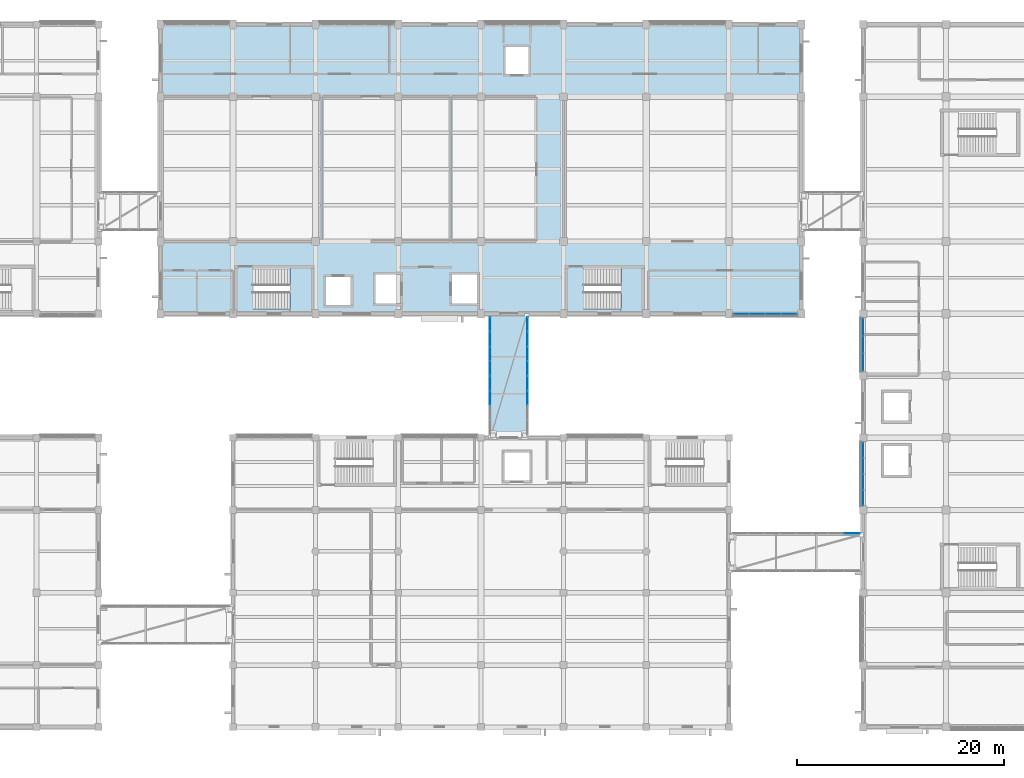
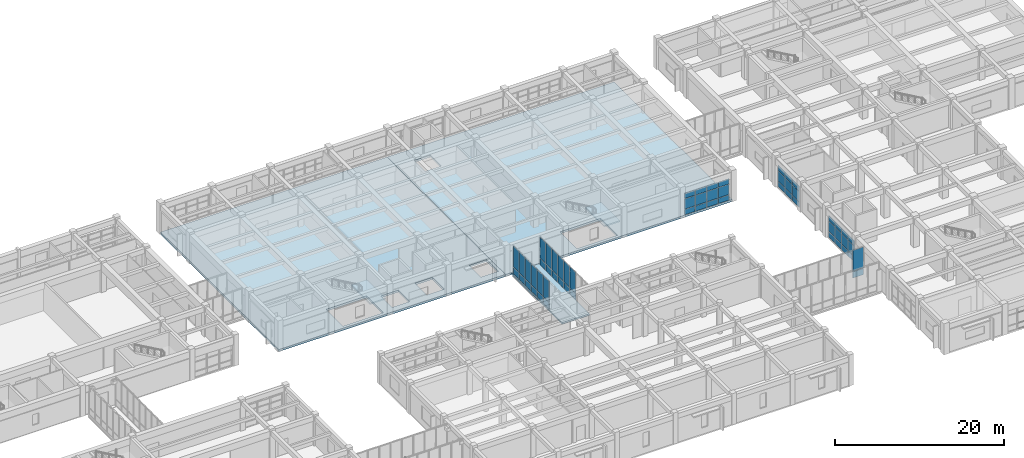
# One storey, part 40 of 70: 59 plates, 5 slabs, 8 elements without a shape of their own.
"""IFC4 building model written with IfcOpenShell, lengths in metres."""

import ifcopenshell
import ifcopenshell.guid

model = None  # the IFC model being written
_history = None  # IfcOwnerHistory: only IFC2X3 demands one
_inside = {}  # id of a spatial element -> (the spatial element, [elements in it])
_under = {}  # id of a project, library or spatial element -> (it, [spatial elements below it])
_declared = {}  # id of a project -> (the project, [libraries it declares])
_typed = {}  # id of a type object -> (the type object, [elements of that type])
_made_of = {}  # id of a material, layer set ... -> (it, [elements and type objects made of it])


def new_model(schema):
    """Start an empty IFC model of exactly this schema.

    Asked for "IFC4X3", IfcOpenShell would pick the latest addendum, in which some entities
    have other attributes; the version numbers below select the first issue.
    IFC2X3 requires an IfcOwnerHistory on every rooted entity: one is made here for all.
    """
    global model, _history
    if schema == "IFC4X3":
        model = ifcopenshell.file(schema_version=(4, 3, 0, 0))
    else:
        model = ifcopenshell.file(schema=schema)
    _inside.clear()
    _under.clear()
    _declared.clear()
    _typed.clear()
    _made_of.clear()
    _history = None
    if model.schema == "IFC2X3":
        org = make("IfcOrganization", Name="unknown")
        user = make(
            "IfcPersonAndOrganization",
            ThePerson=make("IfcPerson", FamilyName="unknown"),
            TheOrganization=org,
        )
        app = make(
            "IfcApplication",
            ApplicationDeveloper=org,
            Version="unknown",
            ApplicationFullName="unknown",
            ApplicationIdentifier="unknown",
        )
        _history = make(
            "IfcOwnerHistory",
            OwningUser=user,
            OwningApplication=app,
            ChangeAction="ADDED",
            CreationDate=0,
        )
    return model


def make(cls, **values):
    """One entity of the class cls with the attributes given. An attribute that is None is left unset."""
    return model.create_entity(
        cls, **{name: value for name, value in values.items() if value is not None}
    )


def rooted(cls, **values):
    """An entity with a GlobalId (a new one), such as an element, a storey or a relation."""
    return make(cls, GlobalId=ifcopenshell.guid.new(), OwnerHistory=_history, **values)


def si_unit(unit_type, name, prefix=None):
    """IfcSIUnit, for example si_unit("LENGTHUNIT", "METRE", prefix="MILLI")."""
    return make("IfcSIUnit", UnitType=unit_type, Prefix=prefix, Name=name)


def assignment(units):
    """IfcUnitAssignment: the units of a project."""
    return None if units is None else make("IfcUnitAssignment", Units=units)


def point(xyz):
    """IfcCartesianPoint."""
    return None if xyz is None else make("IfcCartesianPoint", Coordinates=xyz)


def direction(xyz):
    """IfcDirection."""
    return None if xyz is None else make("IfcDirection", DirectionRatios=xyz)


def frame(location, z_axis=None, x_axis=None):
    """IfcAxis2Placement3D, a coordinate frame: its origin and axes. An axis left out is left unset."""
    return make(
        "IfcAxis2Placement3D",
        Location=point(location),
        Axis=direction(z_axis),
        RefDirection=direction(x_axis),
    )


def frame_2d(location, x_axis=None):
    """IfcAxis2Placement2D, a coordinate frame in the plane: its origin and x axis."""
    return make(
        "IfcAxis2Placement2D", Location=point(location), RefDirection=direction(x_axis)
    )


def origin():
    """The frame at (0, 0, 0) with its axes left unset."""
    return frame((0.0, 0.0, 0.0))


def origin_2d():
    """The frame at (0, 0) in the plane with its x axis left unset."""
    return frame_2d((0.0, 0.0))


def place(relative_to, where):
    """IfcLocalPlacement: puts the frame where relative to a parent placement (None: the world)."""
    return make(
        "IfcLocalPlacement", PlacementRelTo=relative_to, RelativePlacement=where
    )


def context(
    kind, dimensions, precision=None, world=None, true_north=None, identifier=None
):
    """IfcGeometricRepresentationContext, for example the 3D "Model" context."""
    return make(
        "IfcGeometricRepresentationContext",
        ContextIdentifier=identifier,
        ContextType=kind,
        CoordinateSpaceDimension=dimensions,
        Precision=precision,
        WorldCoordinateSystem=world,
        TrueNorth=true_north,
    )


def subcontext(parent, identifier, kind, view, scale=None):
    """IfcGeometricRepresentationSubContext, for example "Body" below "Model"."""
    return make(
        "IfcGeometricRepresentationSubContext",
        ContextIdentifier=identifier,
        ContextType=kind,
        ParentContext=parent,
        TargetScale=scale,
        TargetView=view,
    )


def project(units=None, contexts=None):
    """IfcProject with its units and contexts."""
    return rooted(
        "IfcProject",
        Name="project",
        RepresentationContexts=contexts,
        UnitsInContext=assignment(units),
    )


def spatial(cls, under=None, at=None, **own):
    """A site, building, storey or space (cls), placed at a placement, below another one or the project."""
    s = rooted(cls, ObjectPlacement=at, **own)
    if under is not None:
        _under.setdefault(under.id(), (under, []))[1].append(s)
    return s


def polyline(points):
    """IfcPolyline through the points."""
    return make("IfcPolyline", Points=[point(p) for p in points])


def profile(cls, at=None, kind="AREA", **sizes):
    """A parametric profile (cls). Its sizes go by their IFC names, for example OverallWidth=200.0."""
    return make(cls, ProfileType=kind, Position=at, **sizes)


def rectangle(**sizes):
    """IfcRectangleProfileDef."""
    return profile("IfcRectangleProfileDef", **sizes)


def outline(outer, holes=None, kind="AREA"):
    """IfcArbitraryClosedProfileDef: a profile drawn as a closed curve; with holes, ...WithVoids."""
    if holes is None:
        return make("IfcArbitraryClosedProfileDef", ProfileType=kind, OuterCurve=outer)
    return make(
        "IfcArbitraryProfileDefWithVoids",
        ProfileType=kind,
        OuterCurve=outer,
        InnerCurves=holes,
    )


def extrude(swept, where, along, depth):
    """IfcExtrudedAreaSolid: the profile swept, set in the frame where, extruded along a direction by depth."""
    return make(
        "IfcExtrudedAreaSolid",
        SweptArea=swept,
        Position=where,
        ExtrudedDirection=direction(along),
        Depth=depth,
    )


def shape(context_of_items, identifier, shape_type, items):
    """IfcShapeRepresentation: the items that make up one representation, for example the "Body"."""
    return make(
        "IfcShapeRepresentation",
        ContextOfItems=context_of_items,
        RepresentationIdentifier=identifier,
        RepresentationType=shape_type,
        Items=items,
    )


def material(Name=None, Category=None):
    """IfcMaterial."""
    return make("IfcMaterial", Name=Name, Category=Category)


def layer(
    of_material, thickness, ventilated=None, Name=None, Category=None, Priority=None
):
    """IfcMaterialLayer: one layer of a wall or slab, of a material (None: an air gap)."""
    return make(
        "IfcMaterialLayer",
        Material=of_material,
        LayerThickness=thickness,
        IsVentilated=ventilated,
        Name=Name,
        Category=Category,
        Priority=Priority,
    )


def layer_set(layers, Name=None):
    """IfcMaterialLayerSet."""
    return make("IfcMaterialLayerSet", MaterialLayers=layers, LayerSetName=Name)


def made_of(thing, what):
    """Note that an element or type object is made of a material, layer set ...; save() writes the relation."""
    if what is not None:
        _made_of.setdefault(what.id(), (what, []))[1].append(thing)
    return thing


def type_object(cls, material=None, **own):
    """A type object (cls), such as IfcWallType, which elements share."""
    return made_of(rooted(cls, **own), material)


def element(
    cls,
    number,
    at=None,
    inside=None,
    cuts=None,
    type_object=None,
    material=None,
    context=None,
    identifier="Body",
    shape_type=None,
    held_by="IfcProductDefinitionShape",
    body=None,
    shapes=None,
    **own,
):
    """One element of the class cls, such as IfcWall. Its Tag is "e" and its number.

    at: its placement. inside: the storey or other place that contains it. cuts: it is an
    opening in that element (IfcRelVoidsElement). A single representation is given by context,
    identifier, shape_type and body (its items); several are given by shapes. held_by: the class
    of the entity that holds the representations. save() writes the other relations.
    """
    e = rooted(cls, Tag="e%d" % number, ObjectPlacement=at, **own)
    if body is not None:
        shapes = [shape(context, identifier, shape_type, body)]
    if shapes is not None:
        e.Representation = make(held_by, Representations=shapes)
    if inside is not None:
        _inside.setdefault(inside.id(), (inside, []))[1].append(e)
    if cuts is not None:
        rooted(
            "IfcRelVoidsElement", RelatingBuildingElement=cuts, RelatedOpeningElement=e
        )
    if type_object is not None:
        _typed.setdefault(type_object.id(), (type_object, []))[1].append(e)
    return made_of(e, material)


def aggregate(whole, parts):
    """IfcRelAggregates: a whole, such as a stair, and the parts it consists of."""
    return rooted("IfcRelAggregates", RelatingObject=whole, RelatedObjects=parts)


def save(model, path):
    """Write the relations noted so far, then the file.

    IfcRelAggregates (storeys below a building ...), IfcRelContainedInSpatialStructure (elements
    in a storey), IfcRelDefinesByType, IfcRelAssociatesMaterial and IfcRelDeclares: one each for
    every whole, place, type object, material and project.
    """
    for whole, parts in _under.values():
        aggregate(whole, parts)
    for where, things in _inside.values():
        rooted(
            "IfcRelContainedInSpatialStructure",
            RelatedElements=things,
            RelatingStructure=where,
        )
    for kind, things in _typed.values():
        rooted("IfcRelDefinesByType", RelatedObjects=things, RelatingType=kind)
    for what, things in _made_of.values():
        rooted("IfcRelAssociatesMaterial", RelatedObjects=things, RelatingMaterial=what)
    for by, libraries in _declared.values():
        rooted("IfcRelDeclares", RelatingContext=by, RelatedDefinitions=libraries)
    model.write(path)


model = new_model("IFC4")

# Units and contexts
model_context = context("Model", 3, precision=1e-05, world=origin(), true_north=direction((0.0, 1.0)))
body_context = subcontext(model_context, "Body", "Model", "MODEL_VIEW")
ifc_project = project(units=[si_unit("LENGTHUNIT", "METRE"), si_unit("AREAUNIT", "SQUARE_METRE"), si_unit("VOLUMEUNIT", "CUBIC_METRE"), si_unit("PLANEANGLEUNIT", "RADIAN"), si_unit("MASSUNIT", "GRAM", prefix="KILO")], contexts=[model_context])

# Site, building, storey
site_placement = place(None, origin())
site = spatial("IfcSite", under=ifc_project, at=site_placement, CompositionType="ELEMENT")
building_placement = place(site_placement, origin())
building = spatial("IfcBuilding", under=site, at=building_placement, Name="Naurynzar Civic Courthouse", CompositionType="ELEMENT")
storey_placement = place(building_placement, frame((0.0, 0.0, 5.39990234375)))
storey = spatial("IfcBuildingStorey", under=building, at=storey_placement, Name="L02", CompositionType="ELEMENT", Elevation=5.39990234375)

# Curtain wall, plates
ifc_material_1 = material(Name="Aluminium 6063-T6", Category="aluminium")
ifc_layer_1 = layer(ifc_material_1, 0.179931640625)
ifc_layer_set_1 = layer_set([ifc_layer_1], Name="CW-UNIT-1500")
curtain_wall_type_1 = type_object("IfcCurtainWallType", Name="CW-UNIT-1500", PredefinedType="NOTDEFINED", material=ifc_layer_set_1)
curtain_wall_1_placement = place(storey_placement, origin())
curtain_wall_1 = element("IfcCurtainWall", 1, at=curtain_wall_1_placement, inside=storey, type_object=curtain_wall_type_1, Name="V2 unitised curtain wall 23 L02", PredefinedType="NOTDEFINED")
ifc_material_2 = material(Name="Tempered Laminated Low-E Glass", Category="glass")
ifc_layer_2 = layer(ifc_material_2, 0.031982421875)
ifc_layer_set_2 = layer_set([ifc_layer_2], Name="CWP-IGU-32")
plate_type = type_object("IfcPlateType", Name="CWP-IGU-32", PredefinedType="CURTAIN_PANEL", material=ifc_layer_set_2)
plate_1_placement = place(storey_placement, frame((122.81005859375, 44.0, 0.06005859375), z_axis=(0.0, 0.0, 1.0), x_axis=(-1.0, 0.0, 0.0)))
plate_1 = element("IfcPlate", 2, at=plate_1_placement, type_object=plate_type, Name="CW-01 panel 1.1", PredefinedType="CURTAIN_PANEL", context=body_context, shape_type="SweptSolid", body=[
    extrude(rectangle(XDim=1.4599609375, YDim=0.031982421875, at=origin_2d()), origin(), (0.0, 0.0, 1.0), 0.760009765625),
])
plate_2_placement = place(storey_placement, frame((122.81005859375, 44.0, 0.8798828125), z_axis=(0.0, 0.0, 1.0), x_axis=(-1.0, 0.0, 0.0)))
plate_2 = element("IfcPlate", 3, at=plate_2_placement, type_object=plate_type, Name="CW-01 panel 1.2", PredefinedType="CURTAIN_PANEL", context=body_context, shape_type="SweptSolid", body=[
    extrude(rectangle(XDim=1.4599609375, YDim=0.031982421875, at=origin_2d()), origin(), (0.0, 0.0, 1.0), 1.469970703125),
])
plate_3_placement = place(storey_placement, frame((122.81005859375, 44.0, 2.41015625), z_axis=(0.0, 0.0, 1.0), x_axis=(-1.0, 0.0, 0.0)))
plate_3 = element("IfcPlate", 4, at=plate_3_placement, type_object=plate_type, Name="CW-01 panel 1.3", PredefinedType="CURTAIN_PANEL", context=body_context, shape_type="SweptSolid", body=[
    extrude(rectangle(XDim=1.4599609375, YDim=0.031982421875, at=origin_2d()), origin(), (0.0, 0.0, 1.0), 0.760009765625),
])
plate_4_placement = place(storey_placement, frame((121.27490234375, 44.0, 0.06005859375), z_axis=(0.0, 0.0, 1.0), x_axis=(-1.0, 0.0, 0.0)))
plate_4 = element("IfcPlate", 5, at=plate_4_placement, type_object=plate_type, Name="CW-01 panel 2.1", PredefinedType="CURTAIN_PANEL", context=body_context, shape_type="SweptSolid", body=[
    extrude(rectangle(XDim=1.489990234375, YDim=0.031982421875, at=origin_2d()), origin(), (0.0, 0.0, 1.0), 0.760009765625),
])
plate_5_placement = place(storey_placement, frame((121.27490234375, 44.0, 0.8798828125), z_axis=(0.0, 0.0, 1.0), x_axis=(-1.0, 0.0, 0.0)))
plate_5 = element("IfcPlate", 6, at=plate_5_placement, type_object=plate_type, Name="CW-01 panel 2.2", PredefinedType="CURTAIN_PANEL", context=body_context, shape_type="SweptSolid", body=[
    extrude(rectangle(XDim=1.489990234375, YDim=0.031982421875, at=origin_2d()), origin(), (0.0, 0.0, 1.0), 1.469970703125),
])
plate_6_placement = place(storey_placement, frame((121.27490234375, 44.0, 2.41015625), z_axis=(0.0, 0.0, 1.0), x_axis=(-1.0, 0.0, 0.0)))
plate_6 = element("IfcPlate", 7, at=plate_6_placement, type_object=plate_type, Name="CW-01 panel 2.3", PredefinedType="CURTAIN_PANEL", context=body_context, shape_type="SweptSolid", body=[
    extrude(rectangle(XDim=1.489990234375, YDim=0.031982421875, at=origin_2d()), origin(), (0.0, 0.0, 1.0), 0.760009765625),
])
plate_7_placement = place(storey_placement, frame((119.72509765625, 44.0, 0.06005859375), z_axis=(0.0, 0.0, 1.0), x_axis=(-1.0, 0.0, 0.0)))
plate_7 = element("IfcPlate", 8, at=plate_7_placement, type_object=plate_type, Name="CW-01 panel 3.1", PredefinedType="CURTAIN_PANEL", context=body_context, shape_type="SweptSolid", body=[
    extrude(rectangle(XDim=1.489990234375, YDim=0.031982421875, at=origin_2d()), origin(), (0.0, 0.0, 1.0), 0.760009765625),
])
plate_8_placement = place(storey_placement, frame((119.72509765625, 44.0, 0.8798828125), z_axis=(0.0, 0.0, 1.0), x_axis=(-1.0, 0.0, 0.0)))
plate_8 = element("IfcPlate", 9, at=plate_8_placement, type_object=plate_type, Name="CW-01 panel 3.2", PredefinedType="CURTAIN_PANEL", context=body_context, shape_type="SweptSolid", body=[
    extrude(rectangle(XDim=1.489990234375, YDim=0.031982421875, at=origin_2d()), origin(), (0.0, 0.0, 1.0), 1.469970703125),
])
plate_9_placement = place(storey_placement, frame((119.72509765625, 44.0, 2.41015625), z_axis=(0.0, 0.0, 1.0), x_axis=(-1.0, 0.0, 0.0)))
plate_9 = element("IfcPlate", 10, at=plate_9_placement, type_object=plate_type, Name="CW-01 panel 3.3", PredefinedType="CURTAIN_PANEL", context=body_context, shape_type="SweptSolid", body=[
    extrude(rectangle(XDim=1.489990234375, YDim=0.031982421875, at=origin_2d()), origin(), (0.0, 0.0, 1.0), 0.760009765625),
])
plate_10_placement = place(storey_placement, frame((118.18994140625, 44.0, 0.06005859375), z_axis=(0.0, 0.0, 1.0), x_axis=(-1.0, 0.0, 0.0)))
plate_10 = element("IfcPlate", 11, at=plate_10_placement, type_object=plate_type, Name="CW-01 panel 4.1", PredefinedType="CURTAIN_PANEL", context=body_context, shape_type="SweptSolid", body=[
    extrude(rectangle(XDim=1.4599609375, YDim=0.031982421875, at=origin_2d()), origin(), (0.0, 0.0, 1.0), 0.760009765625),
])
plate_11_placement = place(storey_placement, frame((118.18994140625, 44.0, 0.8798828125), z_axis=(0.0, 0.0, 1.0), x_axis=(-1.0, 0.0, 0.0)))
plate_11 = element("IfcPlate", 12, at=plate_11_placement, type_object=plate_type, Name="CW-01 panel 4.2", PredefinedType="CURTAIN_PANEL", context=body_context, shape_type="SweptSolid", body=[
    extrude(rectangle(XDim=1.4599609375, YDim=0.031982421875, at=origin_2d()), origin(), (0.0, 0.0, 1.0), 1.469970703125),
])
plate_12_placement = place(storey_placement, frame((118.18994140625, 44.0, 2.41015625), z_axis=(0.0, 0.0, 1.0), x_axis=(-1.0, 0.0, 0.0)))
plate_12 = element("IfcPlate", 13, at=plate_12_placement, type_object=plate_type, Name="CW-01 panel 4.3", PredefinedType="CURTAIN_PANEL", context=body_context, shape_type="SweptSolid", body=[
    extrude(rectangle(XDim=1.4599609375, YDim=0.031982421875, at=origin_2d()), origin(), (0.0, 0.0, 1.0), 0.760009765625),
])
aggregate(curtain_wall_1, [plate_1, plate_2, plate_3, plate_4, plate_5, plate_6, plate_7, plate_8, plate_9, plate_10, plate_11, plate_12])

curtain_wall_2_placement = place(storey_placement, origin())
curtain_wall_2 = element("IfcCurtainWall", 14, at=curtain_wall_2_placement, inside=storey, type_object=curtain_wall_type_1, Name="V5 unitised curtain wall 86 L02", PredefinedType="NOTDEFINED")
plate_13_placement = place(storey_placement, frame((130.0, 26.208740234375, 0.06005859375), z_axis=(0.0, 0.0, 1.0), x_axis=(0.0, 1.0, 0.0)))
plate_13 = element("IfcPlate", 15, at=plate_13_placement, type_object=plate_type, Name="CW-01 panel 1.1", PredefinedType="CURTAIN_PANEL", context=body_context, shape_type="SweptSolid", body=[
    extrude(rectangle(XDim=1.447509765625, YDim=0.031982421875, at=origin_2d()), origin(), (0.0, 0.0, 1.0), 0.760009765625),
])
plate_14_placement = place(storey_placement, frame((130.0, 26.208740234375, 0.8798828125), z_axis=(0.0, 0.0, 1.0), x_axis=(0.0, 1.0, 0.0)))
plate_14 = element("IfcPlate", 16, at=plate_14_placement, type_object=plate_type, Name="CW-01 panel 1.2", PredefinedType="CURTAIN_PANEL", context=body_context, shape_type="SweptSolid", body=[
    extrude(rectangle(XDim=1.447509765625, YDim=0.031982421875, at=origin_2d()), origin(), (0.0, 0.0, 1.0), 1.469970703125),
])
plate_15_placement = place(storey_placement, frame((130.0, 26.208740234375, 2.41015625), z_axis=(0.0, 0.0, 1.0), x_axis=(0.0, 1.0, 0.0)))
plate_15 = element("IfcPlate", 17, at=plate_15_placement, type_object=plate_type, Name="CW-01 panel 1.3", PredefinedType="CURTAIN_PANEL", context=body_context, shape_type="SweptSolid", body=[
    extrude(rectangle(XDim=1.447509765625, YDim=0.031982421875, at=origin_2d()), origin(), (0.0, 0.0, 1.0), 0.760009765625),
])
plate_16_placement = place(storey_placement, frame((130.0, 27.731201171875, 0.06005859375), z_axis=(0.0, 0.0, 1.0), x_axis=(0.0, 1.0, 0.0)))
plate_16 = element("IfcPlate", 18, at=plate_16_placement, type_object=plate_type, Name="CW-01 panel 2.1", PredefinedType="CURTAIN_PANEL", context=body_context, shape_type="SweptSolid", body=[
    extrude(rectangle(XDim=1.4775390625, YDim=0.031982421875, at=origin_2d()), origin(), (0.0, 0.0, 1.0), 0.760009765625),
])
plate_17_placement = place(storey_placement, frame((130.0, 27.731201171875, 0.8798828125), z_axis=(0.0, 0.0, 1.0), x_axis=(0.0, 1.0, 0.0)))
plate_17 = element("IfcPlate", 19, at=plate_17_placement, type_object=plate_type, Name="CW-01 panel 2.2", PredefinedType="CURTAIN_PANEL", context=body_context, shape_type="SweptSolid", body=[
    extrude(rectangle(XDim=1.4775390625, YDim=0.031982421875, at=origin_2d()), origin(), (0.0, 0.0, 1.0), 1.469970703125),
])
plate_18_placement = place(storey_placement, frame((130.0, 27.731201171875, 2.41015625), z_axis=(0.0, 0.0, 1.0), x_axis=(0.0, 1.0, 0.0)))
plate_18 = element("IfcPlate", 20, at=plate_18_placement, type_object=plate_type, Name="CW-01 panel 2.3", PredefinedType="CURTAIN_PANEL", context=body_context, shape_type="SweptSolid", body=[
    extrude(rectangle(XDim=1.4775390625, YDim=0.031982421875, at=origin_2d()), origin(), (0.0, 0.0, 1.0), 0.760009765625),
])
plate_19_placement = place(storey_placement, frame((130.0, 29.268798828125, 0.06005859375), z_axis=(0.0, 0.0, 1.0), x_axis=(0.0, 1.0, 0.0)))
plate_19 = element("IfcPlate", 21, at=plate_19_placement, type_object=plate_type, Name="CW-01 panel 3.1", PredefinedType="CURTAIN_PANEL", context=body_context, shape_type="SweptSolid", body=[
    extrude(rectangle(XDim=1.4775390625, YDim=0.031982421875, at=origin_2d()), origin(), (0.0, 0.0, 1.0), 0.760009765625),
])
plate_20_placement = place(storey_placement, frame((130.0, 29.268798828125, 0.8798828125), z_axis=(0.0, 0.0, 1.0), x_axis=(0.0, 1.0, 0.0)))
plate_20 = element("IfcPlate", 22, at=plate_20_placement, type_object=plate_type, Name="CW-01 panel 3.2", PredefinedType="CURTAIN_PANEL", context=body_context, shape_type="SweptSolid", body=[
    extrude(rectangle(XDim=1.4775390625, YDim=0.031982421875, at=origin_2d()), origin(), (0.0, 0.0, 1.0), 1.469970703125),
])
plate_21_placement = place(storey_placement, frame((130.0, 29.268798828125, 2.41015625), z_axis=(0.0, 0.0, 1.0), x_axis=(0.0, 1.0, 0.0)))
plate_21 = element("IfcPlate", 23, at=plate_21_placement, type_object=plate_type, Name="CW-01 panel 3.3", PredefinedType="CURTAIN_PANEL", context=body_context, shape_type="SweptSolid", body=[
    extrude(rectangle(XDim=1.4775390625, YDim=0.031982421875, at=origin_2d()), origin(), (0.0, 0.0, 1.0), 0.760009765625),
])
plate_22_placement = place(storey_placement, frame((130.0, 30.791259765625, 0.06005859375), z_axis=(0.0, 0.0, 1.0), x_axis=(0.0, 1.0, 0.0)))
plate_22 = element("IfcPlate", 24, at=plate_22_placement, type_object=plate_type, Name="CW-01 panel 4.1", PredefinedType="CURTAIN_PANEL", context=body_context, shape_type="SweptSolid", body=[
    extrude(rectangle(XDim=1.447509765625, YDim=0.031982421875, at=origin_2d()), origin(), (0.0, 0.0, 1.0), 0.760009765625),
])
plate_23_placement = place(storey_placement, frame((130.0, 30.791259765625, 0.8798828125), z_axis=(0.0, 0.0, 1.0), x_axis=(0.0, 1.0, 0.0)))
plate_23 = element("IfcPlate", 25, at=plate_23_placement, type_object=plate_type, Name="CW-01 panel 4.2", PredefinedType="CURTAIN_PANEL", context=body_context, shape_type="SweptSolid", body=[
    extrude(rectangle(XDim=1.447509765625, YDim=0.031982421875, at=origin_2d()), origin(), (0.0, 0.0, 1.0), 1.469970703125),
])
plate_24_placement = place(storey_placement, frame((130.0, 30.791259765625, 2.41015625), z_axis=(0.0, 0.0, 1.0), x_axis=(0.0, 1.0, 0.0)))
plate_24 = element("IfcPlate", 26, at=plate_24_placement, type_object=plate_type, Name="CW-01 panel 4.3", PredefinedType="CURTAIN_PANEL", context=body_context, shape_type="SweptSolid", body=[
    extrude(rectangle(XDim=1.447509765625, YDim=0.031982421875, at=origin_2d()), origin(), (0.0, 0.0, 1.0), 0.760009765625),
])
aggregate(curtain_wall_2, [plate_13, plate_14, plate_15, plate_16, plate_17, plate_18, plate_19, plate_20, plate_21, plate_22, plate_23, plate_24])

curtain_wall_3_placement = place(storey_placement, origin())
curtain_wall_3 = element("IfcCurtainWall", 27, at=curtain_wall_3_placement, inside=storey, type_object=curtain_wall_type_1, Name="V5 unitised curtain wall 87 L02", PredefinedType="NOTDEFINED")
plate_25_placement = place(storey_placement, frame((130.0, 39.29833984375, 0.06005859375), z_axis=(0.0, 0.0, 1.0), x_axis=(0.0, 1.0, 0.0)))
plate_25 = element("IfcPlate", 28, at=plate_25_placement, type_object=plate_type, Name="CW-01 panel 1.1", PredefinedType="CURTAIN_PANEL", context=body_context, shape_type="SweptSolid", body=[
    extrude(rectangle(XDim=1.626708984375, YDim=0.031982421875, at=origin_2d()), origin(), (0.0, 0.0, 1.0), 0.760009765625),
])
plate_26_placement = place(storey_placement, frame((130.0, 39.29833984375, 0.8798828125), z_axis=(0.0, 0.0, 1.0), x_axis=(0.0, 1.0, 0.0)))
plate_26 = element("IfcPlate", 29, at=plate_26_placement, type_object=plate_type, Name="CW-01 panel 1.2", PredefinedType="CURTAIN_PANEL", context=body_context, shape_type="SweptSolid", body=[
    extrude(rectangle(XDim=1.626708984375, YDim=0.031982421875, at=origin_2d()), origin(), (0.0, 0.0, 1.0), 1.469970703125),
])
plate_27_placement = place(storey_placement, frame((130.0, 39.29833984375, 2.41015625), z_axis=(0.0, 0.0, 1.0), x_axis=(0.0, 1.0, 0.0)))
plate_27 = element("IfcPlate", 30, at=plate_27_placement, type_object=plate_type, Name="CW-01 panel 1.3", PredefinedType="CURTAIN_PANEL", context=body_context, shape_type="SweptSolid", body=[
    extrude(rectangle(XDim=1.626708984375, YDim=0.031982421875, at=origin_2d()), origin(), (0.0, 0.0, 1.0), 0.760009765625),
])
plate_28_placement = place(storey_placement, frame((130.0, 41.0, 0.06005859375), z_axis=(0.0, 0.0, 1.0), x_axis=(0.0, 1.0, 0.0)))
plate_28 = element("IfcPlate", 31, at=plate_28_placement, type_object=plate_type, Name="CW-01 panel 2.1", PredefinedType="CURTAIN_PANEL", context=body_context, shape_type="SweptSolid", body=[
    extrude(rectangle(XDim=1.65673828125, YDim=0.031982421875, at=origin_2d()), origin(), (0.0, 0.0, 1.0), 0.760009765625),
])
plate_29_placement = place(storey_placement, frame((130.0, 41.0, 0.8798828125), z_axis=(0.0, 0.0, 1.0), x_axis=(0.0, 1.0, 0.0)))
plate_29 = element("IfcPlate", 32, at=plate_29_placement, type_object=plate_type, Name="CW-01 panel 2.2", PredefinedType="CURTAIN_PANEL", context=body_context, shape_type="SweptSolid", body=[
    extrude(rectangle(XDim=1.65673828125, YDim=0.031982421875, at=origin_2d()), origin(), (0.0, 0.0, 1.0), 1.469970703125),
])
plate_30_placement = place(storey_placement, frame((130.0, 41.0, 2.41015625), z_axis=(0.0, 0.0, 1.0), x_axis=(0.0, 1.0, 0.0)))
plate_30 = element("IfcPlate", 33, at=plate_30_placement, type_object=plate_type, Name="CW-01 panel 2.3", PredefinedType="CURTAIN_PANEL", context=body_context, shape_type="SweptSolid", body=[
    extrude(rectangle(XDim=1.65673828125, YDim=0.031982421875, at=origin_2d()), origin(), (0.0, 0.0, 1.0), 0.760009765625),
])
plate_31_placement = place(storey_placement, frame((130.0, 42.70166015625, 0.06005859375), z_axis=(0.0, 0.0, 1.0), x_axis=(0.0, 1.0, 0.0)))
plate_31 = element("IfcPlate", 34, at=plate_31_placement, type_object=plate_type, Name="CW-01 panel 3.1", PredefinedType="CURTAIN_PANEL", context=body_context, shape_type="SweptSolid", body=[
    extrude(rectangle(XDim=1.626708984375, YDim=0.031982421875, at=origin_2d()), origin(), (0.0, 0.0, 1.0), 0.760009765625),
])
plate_32_placement = place(storey_placement, frame((130.0, 42.70166015625, 0.8798828125), z_axis=(0.0, 0.0, 1.0), x_axis=(0.0, 1.0, 0.0)))
plate_32 = element("IfcPlate", 35, at=plate_32_placement, type_object=plate_type, Name="CW-01 panel 3.2", PredefinedType="CURTAIN_PANEL", context=body_context, shape_type="SweptSolid", body=[
    extrude(rectangle(XDim=1.626708984375, YDim=0.031982421875, at=origin_2d()), origin(), (0.0, 0.0, 1.0), 1.469970703125),
])
plate_33_placement = place(storey_placement, frame((130.0, 42.70166015625, 2.41015625), z_axis=(0.0, 0.0, 1.0), x_axis=(0.0, 1.0, 0.0)))
plate_33 = element("IfcPlate", 36, at=plate_33_placement, type_object=plate_type, Name="CW-01 panel 3.3", PredefinedType="CURTAIN_PANEL", context=body_context, shape_type="SweptSolid", body=[
    extrude(rectangle(XDim=1.626708984375, YDim=0.031982421875, at=origin_2d()), origin(), (0.0, 0.0, 1.0), 0.760009765625),
])
aggregate(curtain_wall_3, [plate_25, plate_26, plate_27, plate_28, plate_29, plate_30, plate_31, plate_32, plate_33])

ifc_material_3 = material(Name="Aluminium 6063-T6", Category="aluminium")
ifc_layer_3 = layer(ifc_material_3, 0.14990234375)
ifc_layer_set_3 = layer_set([ifc_layer_3], Name="CW-BRIDGE-1500")
curtain_wall_type_2 = type_object("IfcCurtainWallType", Name="CW-BRIDGE-1500", PredefinedType="USERDEFINED", material=ifc_layer_set_3)
curtain_wall_4_placement = place(storey_placement, origin())
curtain_wall_4 = element("IfcCurtainWall", 37, at=curtain_wall_4_placement, inside=storey, type_object=curtain_wall_type_2, Name="BR-C1 glazed bridge screen L02.1", ObjectType="GLAZED BRIDGE SCREEN", PredefinedType="USERDEFINED")
plate_34_placement = place(storey_placement, frame((93.8798828125, 42.972412109375, 0.06005859375), z_axis=(0.0, 0.0, 1.0), x_axis=(0.0, -1.0, 0.0)))
plate_34 = element("IfcPlate", 38, at=plate_34_placement, type_object=plate_type, Name="CW-03 panel 1.1", PredefinedType="CURTAIN_PANEL", context=body_context, shape_type="SweptSolid", body=[
    extrude(rectangle(XDim=1.3349609375, YDim=0.031982421875, at=origin_2d()), origin(), (0.0, 0.0, 1.0), 0.909912109375),
])
plate_35_placement = place(storey_placement, frame((93.8798828125, 42.972412109375, 1.0302734375), z_axis=(0.0, 0.0, 1.0), x_axis=(0.0, -1.0, 0.0)))
plate_35 = element("IfcPlate", 39, at=plate_35_placement, type_object=plate_type, Name="CW-03 panel 1.2", PredefinedType="CURTAIN_PANEL", context=body_context, shape_type="SweptSolid", body=[
    extrude(rectangle(XDim=1.3349609375, YDim=0.031982421875, at=origin_2d()), origin(), (0.0, 0.0, 1.0), 3.030029296875),
])
plate_36_placement = place(storey_placement, frame((93.8798828125, 41.5625, 0.06005859375), z_axis=(0.0, 0.0, 1.0), x_axis=(0.0, -1.0, 0.0)))
plate_36 = element("IfcPlate", 40, at=plate_36_placement, type_object=plate_type, Name="CW-03 panel 2.1", PredefinedType="CURTAIN_PANEL", context=body_context, shape_type="SweptSolid", body=[
    extrude(rectangle(XDim=1.364990234375, YDim=0.031982421875, at=origin_2d()), origin(), (0.0, 0.0, 1.0), 0.909912109375),
])
plate_37_placement = place(storey_placement, frame((93.8798828125, 41.5625, 1.0302734375), z_axis=(0.0, 0.0, 1.0), x_axis=(0.0, -1.0, 0.0)))
plate_37 = element("IfcPlate", 41, at=plate_37_placement, type_object=plate_type, Name="CW-03 panel 2.2", PredefinedType="CURTAIN_PANEL", context=body_context, shape_type="SweptSolid", body=[
    extrude(rectangle(XDim=1.364990234375, YDim=0.031982421875, at=origin_2d()), origin(), (0.0, 0.0, 1.0), 3.030029296875),
])
plate_38_placement = place(storey_placement, frame((93.8798828125, 40.137451171875, 0.06005859375), z_axis=(0.0, 0.0, 1.0), x_axis=(0.0, -1.0, 0.0)))
plate_38 = element("IfcPlate", 42, at=plate_38_placement, type_object=plate_type, Name="CW-03 panel 3.1", PredefinedType="CURTAIN_PANEL", context=body_context, shape_type="SweptSolid", body=[
    extrude(rectangle(XDim=1.364990234375, YDim=0.031982421875, at=origin_2d()), origin(), (0.0, 0.0, 1.0), 0.909912109375),
])
plate_39_placement = place(storey_placement, frame((93.8798828125, 40.137451171875, 1.0302734375), z_axis=(0.0, 0.0, 1.0), x_axis=(0.0, -1.0, 0.0)))
plate_39 = element("IfcPlate", 43, at=plate_39_placement, type_object=plate_type, Name="CW-03 panel 3.2", PredefinedType="CURTAIN_PANEL", context=body_context, shape_type="SweptSolid", body=[
    extrude(rectangle(XDim=1.364990234375, YDim=0.031982421875, at=origin_2d()), origin(), (0.0, 0.0, 1.0), 3.030029296875),
])
plate_40_placement = place(storey_placement, frame((93.8798828125, 38.71240234375, 0.06005859375), z_axis=(0.0, 0.0, 1.0), x_axis=(0.0, -1.0, 0.0)))
plate_40 = element("IfcPlate", 44, at=plate_40_placement, type_object=plate_type, Name="CW-03 panel 4.1", PredefinedType="CURTAIN_PANEL", context=body_context, shape_type="SweptSolid", body=[
    extrude(rectangle(XDim=1.364990234375, YDim=0.031982421875, at=origin_2d()), origin(), (0.0, 0.0, 1.0), 0.909912109375),
])
plate_41_placement = place(storey_placement, frame((93.8798828125, 38.71240234375, 1.0302734375), z_axis=(0.0, 0.0, 1.0), x_axis=(0.0, -1.0, 0.0)))
plate_41 = element("IfcPlate", 45, at=plate_41_placement, type_object=plate_type, Name="CW-03 panel 4.2", PredefinedType="CURTAIN_PANEL", context=body_context, shape_type="SweptSolid", body=[
    extrude(rectangle(XDim=1.364990234375, YDim=0.031982421875, at=origin_2d()), origin(), (0.0, 0.0, 1.0), 3.030029296875),
])
plate_42_placement = place(storey_placement, frame((93.8798828125, 37.28759765625, 0.06005859375), z_axis=(0.0, 0.0, 1.0), x_axis=(0.0, -1.0, 0.0)))
plate_42 = element("IfcPlate", 46, at=plate_42_placement, type_object=plate_type, Name="CW-03 panel 5.1", PredefinedType="CURTAIN_PANEL", context=body_context, shape_type="SweptSolid", body=[
    extrude(rectangle(XDim=1.364990234375, YDim=0.031982421875, at=origin_2d()), origin(), (0.0, 0.0, 1.0), 0.909912109375),
])
plate_43_placement = place(storey_placement, frame((93.8798828125, 37.28759765625, 1.0302734375), z_axis=(0.0, 0.0, 1.0), x_axis=(0.0, -1.0, 0.0)))
plate_43 = element("IfcPlate", 47, at=plate_43_placement, type_object=plate_type, Name="CW-03 panel 5.2", PredefinedType="CURTAIN_PANEL", context=body_context, shape_type="SweptSolid", body=[
    extrude(rectangle(XDim=1.364990234375, YDim=0.031982421875, at=origin_2d()), origin(), (0.0, 0.0, 1.0), 3.030029296875),
])
plate_44_placement = place(storey_placement, frame((93.8798828125, 35.862548828125, 0.06005859375), z_axis=(0.0, 0.0, 1.0), x_axis=(0.0, -1.0, 0.0)))
plate_44 = element("IfcPlate", 48, at=plate_44_placement, type_object=plate_type, Name="CW-03 panel 6.1", PredefinedType="CURTAIN_PANEL", context=body_context, shape_type="SweptSolid", body=[
    extrude(rectangle(XDim=1.364990234375, YDim=0.031982421875, at=origin_2d()), origin(), (0.0, 0.0, 1.0), 0.909912109375),
])
plate_45_placement = place(storey_placement, frame((93.8798828125, 35.862548828125, 1.0302734375), z_axis=(0.0, 0.0, 1.0), x_axis=(0.0, -1.0, 0.0)))
plate_45 = element("IfcPlate", 49, at=plate_45_placement, type_object=plate_type, Name="CW-03 panel 6.2", PredefinedType="CURTAIN_PANEL", context=body_context, shape_type="SweptSolid", body=[
    extrude(rectangle(XDim=1.364990234375, YDim=0.031982421875, at=origin_2d()), origin(), (0.0, 0.0, 1.0), 3.030029296875),
])
aggregate(curtain_wall_4, [plate_34, plate_35, plate_36, plate_37, plate_38, plate_39, plate_40, plate_41, plate_42, plate_43, plate_44, plate_45])

curtain_wall_5_placement = place(storey_placement, origin())
curtain_wall_5 = element("IfcCurtainWall", 50, at=curtain_wall_5_placement, inside=storey, type_object=curtain_wall_type_2, Name="BR-C1 glazed bridge screen L02.2", ObjectType="GLAZED BRIDGE SCREEN", PredefinedType="USERDEFINED")
plate_46_placement = place(storey_placement, frame((97.52001953125, 35.862548828125, 0.06005859375), z_axis=(0.0, 0.0, 1.0), x_axis=(0.0, 1.0, 0.0)))
plate_46 = element("IfcPlate", 51, at=plate_46_placement, type_object=plate_type, Name="CW-03 panel 3.1", PredefinedType="CURTAIN_PANEL", context=body_context, shape_type="SweptSolid", body=[
    extrude(rectangle(XDim=1.364990234375, YDim=0.031982421875, at=origin_2d()), origin(), (0.0, 0.0, 1.0), 0.909912109375),
])
plate_47_placement = place(storey_placement, frame((97.52001953125, 35.862548828125, 1.0302734375), z_axis=(0.0, 0.0, 1.0), x_axis=(0.0, 1.0, 0.0)))
plate_47 = element("IfcPlate", 52, at=plate_47_placement, type_object=plate_type, Name="CW-03 panel 3.2", PredefinedType="CURTAIN_PANEL", context=body_context, shape_type="SweptSolid", body=[
    extrude(rectangle(XDim=1.364990234375, YDim=0.031982421875, at=origin_2d()), origin(), (0.0, 0.0, 1.0), 3.030029296875),
])
plate_48_placement = place(storey_placement, frame((97.52001953125, 37.28759765625, 0.06005859375), z_axis=(0.0, 0.0, 1.0), x_axis=(0.0, 1.0, 0.0)))
plate_48 = element("IfcPlate", 53, at=plate_48_placement, type_object=plate_type, Name="CW-03 panel 4.1", PredefinedType="CURTAIN_PANEL", context=body_context, shape_type="SweptSolid", body=[
    extrude(rectangle(XDim=1.364990234375, YDim=0.031982421875, at=origin_2d()), origin(), (0.0, 0.0, 1.0), 0.909912109375),
])
plate_49_placement = place(storey_placement, frame((97.52001953125, 37.28759765625, 1.0302734375), z_axis=(0.0, 0.0, 1.0), x_axis=(0.0, 1.0, 0.0)))
plate_49 = element("IfcPlate", 54, at=plate_49_placement, type_object=plate_type, Name="CW-03 panel 4.2", PredefinedType="CURTAIN_PANEL", context=body_context, shape_type="SweptSolid", body=[
    extrude(rectangle(XDim=1.364990234375, YDim=0.031982421875, at=origin_2d()), origin(), (0.0, 0.0, 1.0), 3.030029296875),
])
plate_50_placement = place(storey_placement, frame((97.52001953125, 38.71240234375, 0.06005859375), z_axis=(0.0, 0.0, 1.0), x_axis=(0.0, 1.0, 0.0)))
plate_50 = element("IfcPlate", 55, at=plate_50_placement, type_object=plate_type, Name="CW-03 panel 5.1", PredefinedType="CURTAIN_PANEL", context=body_context, shape_type="SweptSolid", body=[
    extrude(rectangle(XDim=1.364990234375, YDim=0.031982421875, at=origin_2d()), origin(), (0.0, 0.0, 1.0), 0.909912109375),
])
plate_51_placement = place(storey_placement, frame((97.52001953125, 38.71240234375, 1.0302734375), z_axis=(0.0, 0.0, 1.0), x_axis=(0.0, 1.0, 0.0)))
plate_51 = element("IfcPlate", 56, at=plate_51_placement, type_object=plate_type, Name="CW-03 panel 5.2", PredefinedType="CURTAIN_PANEL", context=body_context, shape_type="SweptSolid", body=[
    extrude(rectangle(XDim=1.364990234375, YDim=0.031982421875, at=origin_2d()), origin(), (0.0, 0.0, 1.0), 3.030029296875),
])
plate_52_placement = place(storey_placement, frame((97.52001953125, 40.137451171875, 0.06005859375), z_axis=(0.0, 0.0, 1.0), x_axis=(0.0, 1.0, 0.0)))
plate_52 = element("IfcPlate", 57, at=plate_52_placement, type_object=plate_type, Name="CW-03 panel 6.1", PredefinedType="CURTAIN_PANEL", context=body_context, shape_type="SweptSolid", body=[
    extrude(rectangle(XDim=1.364990234375, YDim=0.031982421875, at=origin_2d()), origin(), (0.0, 0.0, 1.0), 0.909912109375),
])
plate_53_placement = place(storey_placement, frame((97.52001953125, 40.137451171875, 1.0302734375), z_axis=(0.0, 0.0, 1.0), x_axis=(0.0, 1.0, 0.0)))
plate_53 = element("IfcPlate", 58, at=plate_53_placement, type_object=plate_type, Name="CW-03 panel 6.2", PredefinedType="CURTAIN_PANEL", context=body_context, shape_type="SweptSolid", body=[
    extrude(rectangle(XDim=1.364990234375, YDim=0.031982421875, at=origin_2d()), origin(), (0.0, 0.0, 1.0), 3.030029296875),
])
plate_54_placement = place(storey_placement, frame((97.52001953125, 41.5625, 0.06005859375), z_axis=(0.0, 0.0, 1.0), x_axis=(0.0, 1.0, 0.0)))
plate_54 = element("IfcPlate", 59, at=plate_54_placement, type_object=plate_type, Name="CW-03 panel 7.1", PredefinedType="CURTAIN_PANEL", context=body_context, shape_type="SweptSolid", body=[
    extrude(rectangle(XDim=1.364990234375, YDim=0.031982421875, at=origin_2d()), origin(), (0.0, 0.0, 1.0), 0.909912109375),
])
plate_55_placement = place(storey_placement, frame((97.52001953125, 41.5625, 1.0302734375), z_axis=(0.0, 0.0, 1.0), x_axis=(0.0, 1.0, 0.0)))
plate_55 = element("IfcPlate", 60, at=plate_55_placement, type_object=plate_type, Name="CW-03 panel 7.2", PredefinedType="CURTAIN_PANEL", context=body_context, shape_type="SweptSolid", body=[
    extrude(rectangle(XDim=1.364990234375, YDim=0.031982421875, at=origin_2d()), origin(), (0.0, 0.0, 1.0), 3.030029296875),
])
plate_56_placement = place(storey_placement, frame((97.52001953125, 42.972412109375, 0.06005859375), z_axis=(0.0, 0.0, 1.0), x_axis=(0.0, 1.0, 0.0)))
plate_56 = element("IfcPlate", 61, at=plate_56_placement, type_object=plate_type, Name="CW-03 panel 8.1", PredefinedType="CURTAIN_PANEL", context=body_context, shape_type="SweptSolid", body=[
    extrude(rectangle(XDim=1.3349609375, YDim=0.031982421875, at=origin_2d()), origin(), (0.0, 0.0, 1.0), 0.909912109375),
])
plate_57_placement = place(storey_placement, frame((97.52001953125, 42.972412109375, 1.0302734375), z_axis=(0.0, 0.0, 1.0), x_axis=(0.0, 1.0, 0.0)))
plate_57 = element("IfcPlate", 62, at=plate_57_placement, type_object=plate_type, Name="CW-03 panel 8.2", PredefinedType="CURTAIN_PANEL", context=body_context, shape_type="SweptSolid", body=[
    extrude(rectangle(XDim=1.3349609375, YDim=0.031982421875, at=origin_2d()), origin(), (0.0, 0.0, 1.0), 3.030029296875),
])
aggregate(curtain_wall_5, [plate_46, plate_47, plate_48, plate_49, plate_50, plate_51, plate_52, plate_53, plate_54, plate_55, plate_56, plate_57])

curtain_wall_6_placement = place(storey_placement, origin())
curtain_wall_6 = element("IfcCurtainWall", 63, at=curtain_wall_6_placement, inside=storey, type_object=curtain_wall_type_2, Name="BR-E2 glazed bridge screen L02.2", ObjectType="GLAZED BRIDGE SCREEN", PredefinedType="USERDEFINED")
plate_58_placement = place(storey_placement, frame((128.909912109375, 22.719970703125, 0.06005859375), z_axis=(0.0, 0.0, 1.0), x_axis=(-1.0, 0.0, 0.0)))
plate_58 = element("IfcPlate", 64, at=plate_58_placement, type_object=plate_type, Name="CW-03 panel 1.1", PredefinedType="CURTAIN_PANEL", context=body_context, shape_type="SweptSolid", body=[
    extrude(rectangle(XDim=1.4599609375, YDim=0.031982421875, at=origin_2d()), origin(), (0.0, 0.0, 1.0), 0.909912109375),
])
plate_59_placement = place(storey_placement, frame((128.909912109375, 22.719970703125, 1.0302734375), z_axis=(0.0, 0.0, 1.0), x_axis=(-1.0, 0.0, 0.0)))
plate_59 = element("IfcPlate", 65, at=plate_59_placement, type_object=plate_type, Name="CW-03 panel 1.2", PredefinedType="CURTAIN_PANEL", context=body_context, shape_type="SweptSolid", body=[
    extrude(rectangle(XDim=1.4599609375, YDim=0.031982421875, at=origin_2d()), origin(), (0.0, 0.0, 1.0), 3.030029296875),
])
aggregate(curtain_wall_6, [plate_58, plate_59])

# Slab
ifc_material_4 = material(Name="Concrete C35/45", Category="concrete")
ifc_layer_4 = layer(ifc_material_4, 0.239990234375)
ifc_layer_set_4 = layer_set([ifc_layer_4], Name="SLB-BRG-240")
slab_type_1 = type_object("IfcSlabType", Name="SLB-BRG-240", PredefinedType="FLOOR", material=ifc_layer_set_4)
slab_1_placement = place(storey_placement, frame((0.0, 0.0, -0.239990234375)))
element("IfcSlab", 66, at=slab_1_placement, inside=storey, type_object=slab_type_1, Name="Central Library Seismic Link Passage deck slab L02", PredefinedType="FLOOR", context=body_context, shape_type="SweptSolid", body=[
    extrude(outline(polyline([(93.820068359375, 32.02001953125), (97.580078125, 32.02001953125), (97.580078125, 43.97998046875), (93.820068359375, 43.97998046875), (93.820068359375, 32.02001953125)])), origin(), (0.0, 0.0, 1.0), 0.239990234375),
])

# Stair, slab
ifc_material_5 = material(Name="Concrete C35/45", Category="concrete")
stair_type = type_object("IfcStairType", Name="STAIR-CORE-1600", PredefinedType="TWO_STRAIGHT_RUN_STAIR", material=ifc_material_5)
stair_1_placement = place(storey_placement, origin())
stair_1 = element("IfcStair", 67, at=stair_1_placement, inside=storey, type_object=stair_type, Name="Enclosed escape stair ST-V2A L02", PredefinedType="TWO_STRAIGHT_RUN_STAIR")
ifc_material_6 = material(Name="Concrete C35/45", Category="concrete")
ifc_layer_5 = layer(ifc_material_6, 0.199951171875)
ifc_layer_set_5 = layer_set([ifc_layer_5], Name="SLB-LAND-200")
slab_type_2 = type_object("IfcSlabType", Name="SLB-LAND-200", PredefinedType="LANDING", material=ifc_layer_set_5)
slab_2_placement = place(storey_placement, frame((0.0, 0.0, 2.050048828125)))
slab_2 = element("IfcSlab", 68, at=slab_2_placement, type_object=slab_type_2, Name="ST-V2A-L02 landing 1", PredefinedType="LANDING", context=body_context, shape_type="SweptSolid", body=[
    extrude(outline(polyline([(74.5400390625, 44.080078125), (76.669921875, 44.080078125), (76.669921875, 48.52001953125), (74.5400390625, 48.52001953125), (74.5400390625, 44.080078125)])), origin(), (0.0, 0.0, 1.0), 0.199951171875),
])
aggregate(stair_1, [slab_2])

stair_2_placement = place(storey_placement, origin())
stair_2 = element("IfcStair", 69, at=stair_2_placement, inside=storey, type_object=stair_type, Name="Enclosed escape stair ST-V2B L02", PredefinedType="TWO_STRAIGHT_RUN_STAIR")
slab_3_placement = place(storey_placement, frame((0.0, 0.0, 2.050048828125)))
slab_3 = element("IfcSlab", 70, at=slab_3_placement, type_object=slab_type_2, Name="ST-V2B-L02 landing 1", PredefinedType="LANDING", context=body_context, shape_type="SweptSolid", body=[
    extrude(outline(polyline([(106.5400390625, 44.080078125), (108.669921875, 44.080078125), (108.669921875, 48.52001953125), (106.5400390625, 48.52001953125), (106.5400390625, 44.080078125)])), origin(), (0.0, 0.0, 1.0), 0.199951171875),
])
aggregate(stair_2, [slab_3])

# Slabs
ifc_material_7 = material(Name="Concrete C35/45", Category="concrete")
ifc_layer_6 = layer(ifc_material_7, 0.300048828125)
ifc_layer_set_6 = layer_set([ifc_layer_6], Name="SLB-PT-300")
slab_type_3 = type_object("IfcSlabType", Name="SLB-PT-300", PredefinedType="FLOOR", material=ifc_layer_set_6)
slab_4_placement = place(storey_placement, frame((0.0, 0.0, -0.2998046875)))
element("IfcSlab", 71, at=slab_4_placement, inside=storey, type_object=slab_type_3, Name="V2 floor slab L02 W", PredefinedType="FLOOR", context=body_context, shape_type="SweptSolid", body=[
    extrude(outline(polyline([(93.0, 44.0), (93.0, 72.0), (62.0, 72.0), (62.0, 44.0), (93.0, 44.0)]), holes=[polyline([(70.97998046875, 44.39990234375), (76.550048828125, 44.39990234375), (76.550048828125, 48.39990234375), (70.97998046875, 48.39990234375), (70.97998046875, 44.39990234375)]), polyline([(78.0, 44.85009765625), (80.39990234375, 44.85009765625), (80.39990234375, 47.550048828125), (78.0, 47.550048828125), (78.0, 44.85009765625)]), polyline([(82.800048828125, 45.0), (85.199951171875, 45.0), (85.199951171875, 47.800048828125), (82.800048828125, 47.800048828125), (82.800048828125, 45.0)]), polyline([(90.199951171875, 45.0), (92.60009765625, 45.0), (92.60009765625, 47.800048828125), (90.199951171875, 47.800048828125), (90.199951171875, 45.0)])]), origin(), (0.0, 0.0, 1.0), 0.2998046875),
])
slab_5_placement = place(storey_placement, frame((0.0, 0.0, -0.2998046875)))
element("IfcSlab", 72, at=slab_5_placement, inside=storey, type_object=slab_type_3, Name="V2 floor slab L02 E", PredefinedType="FLOOR", context=body_context, shape_type="SweptSolid", body=[
    extrude(outline(polyline([(124.0, 44.0), (124.0, 72.0), (93.0, 72.0), (93.0, 44.0), (124.0, 44.0)]), holes=[polyline([(102.97998046875, 44.39990234375), (108.550048828125, 44.39990234375), (108.550048828125, 48.39990234375), (102.97998046875, 48.39990234375), (102.97998046875, 44.39990234375)]), polyline([(95.39990234375, 67.199951171875), (97.60009765625, 67.199951171875), (97.60009765625, 69.800048828125), (95.39990234375, 69.800048828125), (95.39990234375, 67.199951171875)])]), origin(), (0.0, 0.0, 1.0), 0.2998046875),
])

save(model, "model.ifc")
